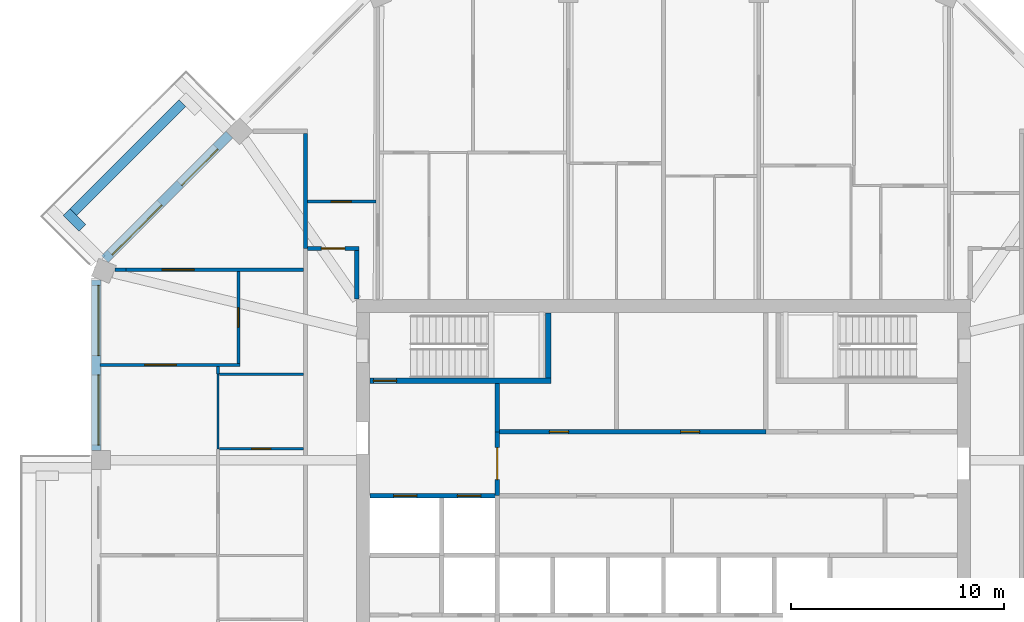
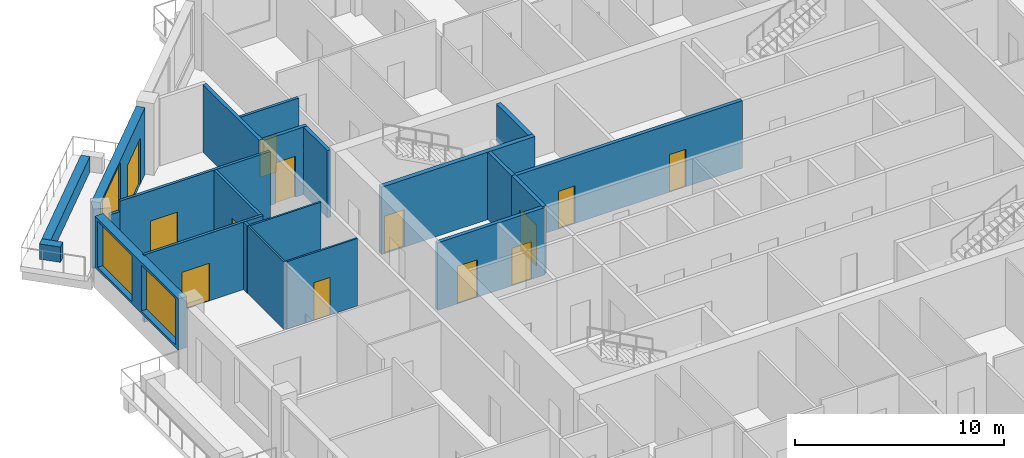
# One storey, part 7 of 13: 22 walls, 13 doors, 3 windows, 16 openings.
"""IFC4 building model written with IfcOpenShell, lengths in metres."""

from ifc_helpers import new_model, si_unit, direction, frame, frame_2d, origin, place, context, subcontext, project, spatial, rectangle, extrude, material, layer, layer_set, type_object, element, fill, save


model = new_model("IFC4")

# Units and contexts
model_context = context("Model", 3, precision=1e-05, world=origin(), true_north=direction((0.0, 1.0)))
body_context = subcontext(model_context, "Body", "Model", "MODEL_VIEW")
ifc_project = project(units=[si_unit("LENGTHUNIT", "METRE"), si_unit("AREAUNIT", "SQUARE_METRE"), si_unit("VOLUMEUNIT", "CUBIC_METRE"), si_unit("PLANEANGLEUNIT", "RADIAN"), si_unit("MASSUNIT", "GRAM", prefix="KILO")], contexts=[model_context])

# Site, building, storey
site_placement = place(None, origin())
site = spatial("IfcSite", under=ifc_project, at=site_placement, CompositionType="ELEMENT")
building_placement = place(site_placement, origin())
building = spatial("IfcBuilding", under=site, at=building_placement, Name="Msitu Wima Residences", CompositionType="ELEMENT")
storey_placement = place(building_placement, frame((0.0, 0.0, 285.300048828125)))
storey = spatial("IfcBuildingStorey", under=building, at=storey_placement, Name="L66", CompositionType="ELEMENT", Elevation=285.300048828125)

# Walls
ifc_material_1 = material(Name="Facing brick")
ifc_layer_1 = layer(ifc_material_1, 0.06494140625, Name="Facing brick")
ifc_material_2 = material(Name="Concrete C40/50", Category="concrete")
ifc_layer_2 = layer(ifc_material_2, 0.156005859375, Name="Concrete C40/50")
ifc_material_3 = material(Name="Waterproofing membrane")
ifc_layer_3 = layer(ifc_material_3, 0.00390625, Name="Waterproofing membrane")
ifc_material_4 = material(Name="Planting soil and planting")
ifc_layer_4 = layer(ifc_material_4, 0.22509765625, Name="Planting soil and planting")
ifc_layer_set_1 = layer_set([ifc_layer_1, ifc_layer_2, ifc_layer_3, ifc_layer_4], Name="Concrete C40/50")
wall_type_1 = type_object("IfcWallType", Name="Balcony planter PLANTER PL450", PredefinedType="USERDEFINED", material=ifc_layer_set_1)
wall_1_placement = place(storey_placement, frame((-22.572265625, 21.228759765625, 0.0), z_axis=(0.0, 0.0, 1.0), x_axis=(-0.707106781187, -0.707106781187, 0.0)))
element("IfcWall", 1, at=wall_1_placement, inside=storey, type_object=wall_type_1, Name="Balcony planter NW1 L66", ObjectType="PLANTER", PredefinedType="USERDEFINED", context=body_context, shape_type="SweptSolid", body=[
    extrude(rectangle(XDim=7.23828125, YDim=0.449951171875, at=frame_2d((3.619140625, 0.0))), origin(), (0.0, 0.0, 1.0), 0.89990234375),
])
wall_2_placement = place(storey_placement, frame((-27.26611328125, 15.3681640625, 0.0), z_axis=(0.0, 0.0, 1.0), x_axis=(-0.707223014731, 0.706990528533, 0.0)))
element("IfcWall", 2, at=wall_2_placement, inside=storey, type_object=wall_type_1, Name="Balcony planter NW1 L66", ObjectType="PLANTER", PredefinedType="USERDEFINED", context=body_context, shape_type="SweptSolid", body=[
    extrude(rectangle(XDim=1.050048828125, YDim=0.449951171875, at=frame_2d((0.52490234375, 0.0))), origin(), (0.0, 0.0, 1.0), 0.89990234375),
])

# Wall, openings, door, window
ifc_material_5 = material(Name="Brick (red buff mix)", Category="masonry")
ifc_layer_5 = layer(ifc_material_5, 0.449951171875)
ifc_layer_set_2 = layer_set([ifc_layer_5], Name="Brick (red buff mix)")
wall_type_2 = type_object("IfcWallType", Name="Brick infill wall BW450", PredefinedType="SOLIDWALL", material=ifc_layer_set_2)
wall_3_placement = place(storey_placement, frame((-20.380126953125, 19.743896484375, 0.0), z_axis=(0.0, 0.0, 1.0), x_axis=(-0.707106781187, -0.707106781187, 0.0)))
wall_3 = element("IfcWall", 3, at=wall_3_placement, inside=storey, type_object=wall_type_2, Name="Brick infill wall L66 NW1", PredefinedType="SOLIDWALL", context=body_context, shape_type="SweptSolid", body=[
    extrude(rectangle(XDim=8.251220703125, YDim=0.449951171875, at=frame_2d((4.12548828125, 0.0))), origin(), (0.0, 0.0, 1.0), 3.89990234375),
])
opening_1_placement = place(wall_3_placement, frame((0.86279296875, 0.0, 0.0)))
opening_1 = element("IfcOpeningElement", 4, at=opening_1_placement, cuts=wall_3, Name="Opening D65-67.005", PredefinedType="OPENING", context=body_context, shape_type="SweptSolid", body=[
    extrude(rectangle(XDim=2.39990234375, YDim=2.699951171875, at=frame_2d((1.199951171875, 1.35009765625))), frame((0.0, 0.23486328125, 0.0), z_axis=(0.0, -1.0, 0.0), x_axis=(1.0, 0.0, 0.0)), (0.0, 0.0, 1.0), 0.469970703125),
])
opening_2_placement = place(wall_3_placement, frame((4.57568359375, 0.0, 1.050048828125)))
opening_2 = element("IfcOpeningElement", 5, at=opening_2_placement, cuts=wall_3, Name="Opening W65-67.015", PredefinedType="OPENING", context=body_context, shape_type="SweptSolid", body=[
    extrude(rectangle(XDim=3.300048828125, YDim=2.699951171875, at=frame_2d((1.64990234375, 1.35009765625))), frame((0.0, 0.23486328125, 0.0), z_axis=(0.0, -1.0, 0.0), x_axis=(1.0, 0.0, 0.0)), (0.0, 0.0, 1.0), 0.469970703125),
])
ifc_material_6 = material(Name="Anodised aluminium, bronze finish, clear low-emissivity double glazing", Category="aluminium")
door_type_1 = type_object("IfcDoorType", Name="Balcony door D2400x2700", OperationType="SLIDING_TO_LEFT", PredefinedType="DOOR", material=ifc_material_6)
door_1_placement = place(opening_1_placement, origin())
door_1 = element("IfcDoor", 6, at=door_1_placement, inside=storey, type_object=door_type_1, Name="Balcony door L66 NW1", OperationType="SINGLE_SWING_LEFT", OverallHeight=2.699951171875, OverallWidth=2.39990234375, PredefinedType="DOOR", context=body_context, shape_type="SweptSolid", body=[
    extrude(rectangle(XDim=2.39990234375, YDim=2.699951171875, at=frame_2d((1.199951171875, 1.35009765625))), frame((0.0, 0.1298828125, 0.0), z_axis=(0.0, -1.0, 0.0), x_axis=(1.0, 0.0, 0.0)), (0.0, 0.0, 1.0), 0.050048828125),
])
fill(opening_1, door_1)
window_type = type_object("IfcWindowType", Name="Window W3300x2700", PartitioningType="DOUBLE_PANEL_VERTICAL", PredefinedType="WINDOW", material=ifc_material_6)
window_1_placement = place(opening_2_placement, origin())
window_1 = element("IfcWindow", 7, at=window_1_placement, inside=storey, type_object=window_type, Name="Window L66 NW1.2", OverallHeight=2.699951171875, OverallWidth=3.300048828125, PartitioningType="SINGLE_PANEL", PredefinedType="WINDOW", context=body_context, shape_type="SweptSolid", body=[
    extrude(rectangle(XDim=3.300048828125, YDim=2.699951171875, at=frame_2d((1.64990234375, 1.35009765625))), frame((0.0, 0.135009765625, 0.0), z_axis=(0.0, -1.0, 0.0), x_axis=(1.0, 0.0, 0.0)), (0.0, 0.0, 1.0), 0.06005859375),
])
fill(opening_2, window_1)

# Wall, openings, windows
wall_4_placement = place(storey_placement, frame((-26.625, 12.918701171875, 0.89990234375), z_axis=(0.0, 0.0, 1.0), x_axis=(0.0, -1.0, 0.0)))
wall_4 = element("IfcWall", 8, at=wall_4_placement, inside=storey, type_object=wall_type_2, Name="Brick infill wall L66 W0", PredefinedType="SOLIDWALL", context=body_context, shape_type="SweptSolid", body=[
    extrude(rectangle(XDim=8.0, YDim=0.449951171875, at=frame_2d((4.0, 0.0))), origin(), (0.0, 0.0, 1.0), 3.0),
])
opening_3_placement = place(wall_4_placement, frame((0.25, 0.0, 0.14990234375)))
opening_3 = element("IfcOpeningElement", 9, at=opening_3_placement, cuts=wall_4, Name="Opening W65-67.026", PredefinedType="OPENING", context=body_context, shape_type="SweptSolid", body=[
    extrude(rectangle(XDim=3.300048828125, YDim=2.699951171875, at=frame_2d((1.64990234375, 1.35009765625))), frame((0.0, 0.23486328125, 0.0), z_axis=(0.0, -1.0, 0.0), x_axis=(1.0, 0.0, 0.0)), (0.0, 0.0, 1.0), 0.469970703125),
])
opening_4_placement = place(wall_4_placement, frame((4.4501953125, 0.0, 0.14990234375)))
opening_4 = element("IfcOpeningElement", 10, at=opening_4_placement, cuts=wall_4, Name="Opening W65-67.027", PredefinedType="OPENING", context=body_context, shape_type="SweptSolid", body=[
    extrude(rectangle(XDim=3.300048828125, YDim=2.699951171875, at=frame_2d((1.64990234375, 1.35009765625))), frame((0.0, 0.23486328125, 0.0), z_axis=(0.0, -1.0, 0.0), x_axis=(1.0, 0.0, 0.0)), (0.0, 0.0, 1.0), 0.469970703125),
])
window_2_placement = place(opening_3_placement, origin())
window_2 = element("IfcWindow", 11, at=window_2_placement, inside=storey, type_object=window_type, Name="Window L66 W0.1", OverallHeight=2.699951171875, OverallWidth=3.300048828125, PartitioningType="SINGLE_PANEL", PredefinedType="WINDOW", context=body_context, shape_type="SweptSolid", body=[
    extrude(rectangle(XDim=3.300048828125, YDim=2.699951171875, at=frame_2d((1.64990234375, 1.35009765625))), frame((0.0, 0.135009765625, 0.0), z_axis=(0.0, -1.0, 0.0), x_axis=(1.0, 0.0, 0.0)), (0.0, 0.0, 1.0), 0.06005859375),
])
fill(opening_3, window_2)
window_3_placement = place(opening_4_placement, origin())
window_3 = element("IfcWindow", 12, at=window_3_placement, inside=storey, type_object=window_type, Name="Window L66 W0.2", OverallHeight=2.699951171875, OverallWidth=3.300048828125, PartitioningType="SINGLE_PANEL", PredefinedType="WINDOW", context=body_context, shape_type="SweptSolid", body=[
    extrude(rectangle(XDim=3.300048828125, YDim=2.699951171875, at=frame_2d((1.64990234375, 1.35009765625))), frame((0.0, 0.135009765625, 0.0), z_axis=(0.0, -1.0, 0.0), x_axis=(1.0, 0.0, 0.0)), (0.0, 0.0, 1.0), 0.06005859375),
])
fill(opening_4, window_3)

# Wall, opening, door
ifc_material_7 = material(Name="Plaster")
ifc_layer_6 = layer(ifc_material_7, 0.011962890625, Name="Plaster")
ifc_material_8 = material(Name="Concrete blockwork", Category="masonry")
ifc_layer_7 = layer(ifc_material_8, 0.176025390625, Name="Concrete blockwork")
ifc_layer_8 = layer(ifc_material_7, 0.011962890625, Name="Plaster")
ifc_layer_set_3 = layer_set([ifc_layer_6, ifc_layer_7, ifc_layer_8], Name="Concrete blockwork")
wall_type_3 = type_object("IfcWallType", Name="Corridor wall FW200", PredefinedType="PARTITIONING", material=ifc_layer_set_3)
wall_5_placement = place(storey_placement, frame((-16.699951171875, 14.39990234375, 0.0), z_axis=(0.0, 0.0, 1.0), x_axis=(1.0, 0.0, 0.0)))
wall_5 = element("IfcWall", 13, at=wall_5_placement, inside=storey, type_object=wall_type_3, Name="Corridor wall", PredefinedType="PARTITIONING", context=body_context, shape_type="SweptSolid", body=[
    extrude(rectangle(XDim=2.39990234375, YDim=0.199951171875, at=frame_2d((1.199951171875, 0.0))), origin(), (0.0, 0.0, 1.0), 3.949951171875),
])
opening_5_placement = place(wall_5_placement, frame((0.64990234375, 0.0, 0.0)))
opening_5 = element("IfcOpeningElement", 14, at=opening_5_placement, cuts=wall_5, Name="Opening D65-67.032", PredefinedType="OPENING", context=body_context, shape_type="SweptSolid", body=[
    extrude(rectangle(XDim=1.10009765625, YDim=2.39990234375, at=frame_2d((0.550048828125, 1.199951171875))), frame((0.0, 0.10986328125, 0.0), z_axis=(0.0, -1.0, 0.0), x_axis=(1.0, 0.0, 0.0)), (0.0, 0.0, 1.0), 0.219970703125),
])
ifc_material_9 = material(Name="Timber flush door, fire resisting, self-closing", Category="wood")
door_type_2 = type_object("IfcDoorType", Name="Flat entrance door D01 1100x2400", OperationType="SINGLE_SWING_LEFT", PredefinedType="DOOR", material=ifc_material_9)
door_2_placement = place(opening_5_placement, origin())
door_2 = element("IfcDoor", 15, at=door_2_placement, inside=storey, type_object=door_type_2, Name="Flat entrance door", OperationType="SINGLE_SWING_LEFT", OverallHeight=2.39990234375, OverallWidth=1.10009765625, PredefinedType="DOOR", context=body_context, shape_type="SweptSolid", body=[
    extrude(rectangle(XDim=1.10009765625, YDim=2.39990234375, at=frame_2d((0.550048828125, 1.199951171875))), frame((0.0, 0.02490234375, 0.0), z_axis=(0.0, -1.0, 0.0), x_axis=(1.0, 0.0, 0.0)), (0.0, 0.0, 1.0), 0.050048828125),
])
fill(opening_5, door_2)

# Wall
wall_6_placement = place(storey_placement, frame((-14.39990234375, 12.030029296875, 0.0), z_axis=(0.0, 0.0, 1.0), x_axis=(0.0, 1.0, 0.0)))
element("IfcWall", 16, at=wall_6_placement, inside=storey, type_object=wall_type_3, Name="Corridor wall", PredefinedType="PARTITIONING", context=body_context, shape_type="SweptSolid", body=[
    extrude(rectangle(XDim=2.27001953125, YDim=0.199951171875, at=frame_2d((1.135009765625, 0.0))), origin(), (0.0, 0.0, 1.0), 3.949951171875),
])

# Wall, opening, door
wall_7_placement = place(storey_placement, frame((-7.800048828125, 2.800048828125, 0.0), z_axis=(0.0, 0.0, 1.0), x_axis=(0.0, 1.0, 0.0)))
wall_7 = element("IfcWall", 17, at=wall_7_placement, inside=storey, type_object=wall_type_3, Name="Corridor wall", PredefinedType="PARTITIONING", context=body_context, shape_type="SweptSolid", body=[
    extrude(rectangle(XDim=3.0, YDim=0.199951171875, at=frame_2d((1.5, 0.0))), origin(), (0.0, 0.0, 1.0), 3.949951171875),
])
opening_6_placement = place(wall_7_placement, frame((0.75, 0.0, 0.0)))
opening_6 = element("IfcOpeningElement", 18, at=opening_6_placement, cuts=wall_7, Name="Opening D65-67.076", PredefinedType="OPENING", context=body_context, shape_type="SweptSolid", body=[
    extrude(rectangle(XDim=1.5, YDim=2.39990234375, at=frame_2d((0.75, 1.199951171875))), frame((0.0, 0.10986328125, 0.0), z_axis=(0.0, -1.0, 0.0), x_axis=(1.0, 0.0, 0.0)), (0.0, 0.0, 1.0), 0.219970703125),
])
ifc_material_10 = material(Name="Steel framed glazed door, fire resisting", Category="steel")
door_type_3 = type_object("IfcDoorType", Name="Lobby door D07 1500x2400", OperationType="DOUBLE_DOOR_SINGLE_SWING", PredefinedType="DOOR", material=ifc_material_10)
door_3_placement = place(opening_6_placement, origin())
door_3 = element("IfcDoor", 19, at=door_3_placement, inside=storey, type_object=door_type_3, Name="Lobby door", OperationType="DOUBLE_DOOR_SINGLE_SWING", OverallHeight=2.39990234375, OverallWidth=1.5, PredefinedType="DOOR", context=body_context, shape_type="SweptSolid", body=[
    extrude(rectangle(XDim=1.5, YDim=2.39990234375, at=frame_2d((0.75, 1.199951171875))), frame((0.0, 0.02490234375, 0.0), z_axis=(0.0, -1.0, 0.0), x_axis=(1.0, 0.0, 0.0)), (0.0, 0.0, 1.0), 0.050048828125),
])
fill(opening_6, door_3)

ifc_layer_9 = layer(ifc_material_7, 0.011962890625, Name="Plaster")
ifc_layer_10 = layer(ifc_material_8, 0.1259765625, Name="Concrete blockwork")
ifc_layer_11 = layer(ifc_material_7, 0.011962890625, Name="Plaster")
ifc_layer_set_4 = layer_set([ifc_layer_9, ifc_layer_10, ifc_layer_11], Name="Concrete blockwork")
wall_type_4 = type_object("IfcWallType", Name="Partition PW150", PredefinedType="PARTITIONING", material=ifc_layer_set_4)
wall_8_placement = place(storey_placement, frame((-26.455078125, 8.937255859375, 0.0), z_axis=(0.0, 0.0, 1.0), x_axis=(1.0, 0.0, 0.0)))
wall_8 = element("IfcWall", 20, at=wall_8_placement, inside=storey, type_object=wall_type_4, Name="Partition", PredefinedType="PARTITIONING", context=body_context, shape_type="SweptSolid", body=[
    extrude(rectangle(XDim=6.580078125, YDim=0.14990234375, at=frame_2d((3.2900390625, 0.0))), origin(), (0.0, 0.0, 1.0), 3.949951171875),
])
opening_7_placement = place(wall_8_placement, frame((2.10009765625, 0.0, 0.0)))
opening_7 = element("IfcOpeningElement", 21, at=opening_7_placement, cuts=wall_8, Name="Opening D65-67.051", PredefinedType="OPENING", context=body_context, shape_type="SweptSolid", body=[
    extrude(rectangle(XDim=1.5, YDim=2.199951171875, at=frame_2d((0.75, 1.10009765625))), frame((0.0, 0.0849609375, 0.0), z_axis=(0.0, -1.0, 0.0), x_axis=(1.0, 0.0, 0.0)), (0.0, 0.0, 1.0), 0.169921875),
])
ifc_material_11 = material(Name="Timber double door", Category="wood")
door_type_4 = type_object("IfcDoorType", Name="Double door D04 1500x2200", OperationType="DOUBLE_DOOR_SINGLE_SWING", PredefinedType="DOOR", material=ifc_material_11)
door_4_placement = place(opening_7_placement, origin())
door_4 = element("IfcDoor", 22, at=door_4_placement, inside=storey, type_object=door_type_4, Name="Double door", OperationType="DOUBLE_DOOR_SINGLE_SWING", OverallHeight=2.199951171875, OverallWidth=1.5, PredefinedType="DOOR", context=body_context, shape_type="SweptSolid", body=[
    extrude(rectangle(XDim=1.5, YDim=2.199951171875, at=frame_2d((0.75, 1.10009765625))), frame((0.0, 0.02490234375, 0.0), z_axis=(0.0, -1.0, 0.0), x_axis=(1.0, 0.0, 0.0)), (0.0, 0.0, 1.0), 0.050048828125),
])
fill(opening_7, door_4)

# Wall
wall_9_placement = place(storey_placement, frame((-25.731201171875, 13.406005859375, 0.0), z_axis=(0.0, 0.0, 1.0), x_axis=(1.0, 0.0, 0.0)))
element("IfcWall", 23, at=wall_9_placement, inside=storey, type_object=wall_type_4, Name="Partition", PredefinedType="PARTITIONING", context=body_context, shape_type="SweptSolid", body=[
    extrude(rectangle(XDim=0.507080078125, YDim=0.14990234375, at=frame_2d((0.25341796875, 0.0))), origin(), (0.0, 0.0, 1.0), 3.349853515625),
])

# Wall, opening, door
wall_10_placement = place(storey_placement, frame((-25.22412109375, 13.406005859375, 0.0), z_axis=(0.0, 0.0, 1.0), x_axis=(1.0, 0.0, 0.0)))
wall_10 = element("IfcWall", 24, at=wall_10_placement, inside=storey, type_object=wall_type_4, Name="Partition", PredefinedType="PARTITIONING", context=body_context, shape_type="SweptSolid", body=[
    extrude(rectangle(XDim=8.32421875, YDim=0.14990234375, at=frame_2d((4.162109375, 0.0))), origin(), (0.0, 0.0, 1.0), 3.949951171875),
])
opening_8_placement = place(wall_10_placement, frame((1.69287109375, 0.0, 0.0)))
opening_8 = element("IfcOpeningElement", 25, at=opening_8_placement, cuts=wall_10, Name="Opening D65-67.052", PredefinedType="OPENING", context=body_context, shape_type="SweptSolid", body=[
    extrude(rectangle(XDim=1.5, YDim=2.199951171875, at=frame_2d((0.75, 1.10009765625))), frame((0.0, 0.0849609375, 0.0), z_axis=(0.0, -1.0, 0.0), x_axis=(1.0, 0.0, 0.0)), (0.0, 0.0, 1.0), 0.169921875),
])
door_5_placement = place(opening_8_placement, origin())
door_5 = element("IfcDoor", 26, at=door_5_placement, inside=storey, type_object=door_type_4, Name="Double door", OperationType="DOUBLE_DOOR_SINGLE_SWING", OverallHeight=2.199951171875, OverallWidth=1.5, PredefinedType="DOOR", context=body_context, shape_type="SweptSolid", body=[
    extrude(rectangle(XDim=1.5, YDim=2.199951171875, at=frame_2d((0.75, 1.10009765625))), frame((0.0, 0.02490234375, 0.0), z_axis=(0.0, -1.0, 0.0), x_axis=(1.0, 0.0, 0.0)), (0.0, 0.0, 1.0), 0.050048828125),
])
fill(opening_8, door_5)

# Wall
wall_11_placement = place(storey_placement, frame((-20.89990234375, 8.5, 0.0), z_axis=(0.0, 0.0, 1.0), x_axis=(0.0, 1.0, 0.0)))
element("IfcWall", 27, at=wall_11_placement, inside=storey, type_object=wall_type_4, Name="Partition", PredefinedType="PARTITIONING", context=body_context, shape_type="SweptSolid", body=[
    extrude(rectangle(XDim=0.3623046875, YDim=0.14990234375, at=frame_2d((0.18115234375, 0.0))), origin(), (0.0, 0.0, 1.0), 3.949951171875),
])

# Wall, opening, door
wall_12_placement = place(storey_placement, frame((-19.949951171875, 9.01220703125, 0.0), z_axis=(0.0, 0.0, 1.0), x_axis=(0.0, 1.0, 0.0)))
wall_12 = element("IfcWall", 28, at=wall_12_placement, inside=storey, type_object=wall_type_4, Name="Partition", PredefinedType="PARTITIONING", context=body_context, shape_type="SweptSolid", body=[
    extrude(rectangle(XDim=4.318603515625, YDim=0.14990234375, at=frame_2d((2.1591796875, 0.0))), origin(), (0.0, 0.0, 1.0), 3.949951171875),
])
opening_9_placement = place(wall_12_placement, frame((1.699951171875, 0.0, 0.0)))
opening_9 = element("IfcOpeningElement", 29, at=opening_9_placement, cuts=wall_12, Name="Opening D65-67.045", PredefinedType="OPENING", context=body_context, shape_type="SweptSolid", body=[
    extrude(rectangle(XDim=0.89990234375, YDim=2.199951171875, at=frame_2d((0.449951171875, 1.10009765625))), frame((0.0, 0.0849609375, 0.0), z_axis=(0.0, -1.0, 0.0), x_axis=(1.0, 0.0, 0.0)), (0.0, 0.0, 1.0), 0.169921875),
])
ifc_material_12 = material(Name="Timber flush door", Category="wood")
door_type_5 = type_object("IfcDoorType", Name="Service door D05 900x2200", OperationType="SINGLE_SWING_LEFT", PredefinedType="DOOR", material=ifc_material_12)
door_6_placement = place(opening_9_placement, origin())
door_6 = element("IfcDoor", 30, at=door_6_placement, inside=storey, type_object=door_type_5, Name="Service door", OperationType="SINGLE_SWING_LEFT", OverallHeight=2.199951171875, OverallWidth=0.89990234375, PredefinedType="DOOR", context=body_context, shape_type="SweptSolid", body=[
    extrude(rectangle(XDim=0.89990234375, YDim=2.199951171875, at=frame_2d((0.449951171875, 1.10009765625))), frame((0.0, 0.02490234375, 0.0), z_axis=(0.0, -1.0, 0.0), x_axis=(1.0, 0.0, 0.0)), (0.0, 0.0, 1.0), 0.050048828125),
])
fill(opening_9, door_6)

wall_13_placement = place(storey_placement, frame((-16.699951171875, 16.60009765625, 0.0), z_axis=(0.0, 0.0, 1.0), x_axis=(1.0, 0.0, 0.0)))
wall_13 = element("IfcWall", 31, at=wall_13_placement, inside=storey, type_object=wall_type_4, Name="Partition", PredefinedType="PARTITIONING", context=body_context, shape_type="SweptSolid", body=[
    extrude(rectangle(XDim=3.218994140625, YDim=0.14990234375, at=frame_2d((1.609375, 0.0))), origin(), (0.0, 0.0, 1.0), 3.949951171875),
])
opening_10_placement = place(wall_13_placement, frame((1.10009765625, 0.0, 0.0)))
opening_10 = element("IfcOpeningElement", 32, at=opening_10_placement, cuts=wall_13, Name="Opening D65-67.035", PredefinedType="OPENING", context=body_context, shape_type="SweptSolid", body=[
    extrude(rectangle(XDim=0.949951171875, YDim=2.199951171875, at=frame_2d((0.47509765625, 1.10009765625))), frame((0.0, 0.0849609375, 0.0), z_axis=(0.0, -1.0, 0.0), x_axis=(1.0, 0.0, 0.0)), (0.0, 0.0, 1.0), 0.169921875),
])
door_type_6 = type_object("IfcDoorType", Name="Room door D12 950x2200", OperationType="SINGLE_SWING_LEFT", PredefinedType="DOOR", material=ifc_material_12)
door_7_placement = place(opening_10_placement, origin())
door_7 = element("IfcDoor", 33, at=door_7_placement, inside=storey, type_object=door_type_6, Name="Room door", OperationType="SINGLE_SWING_LEFT", OverallHeight=2.199951171875, OverallWidth=0.949951171875, PredefinedType="DOOR", context=body_context, shape_type="SweptSolid", body=[
    extrude(rectangle(XDim=0.949951171875, YDim=2.199951171875, at=frame_2d((0.47509765625, 1.10009765625))), frame((0.0, 0.02490234375, 0.0), z_axis=(0.0, -1.0, 0.0), x_axis=(1.0, 0.0, 0.0)), (0.0, 0.0, 1.0), 0.050048828125),
])
fill(opening_10, door_7)

# Walls
ifc_layer_12 = layer(ifc_material_7, 0.011962890625, Name="Plaster")
ifc_material_13 = material(Name="Dense concrete blockwork", Category="masonry")
ifc_layer_13 = layer(ifc_material_13, 0.176025390625, Name="Dense concrete blockwork")
ifc_layer_14 = layer(ifc_material_7, 0.011962890625, Name="Plaster")
ifc_layer_set_5 = layer_set([ifc_layer_12, ifc_layer_13, ifc_layer_14], Name="Dense concrete blockwork")
wall_type_5 = type_object("IfcWallType", Name="Party wall PW200", PredefinedType="PARTITIONING", material=ifc_layer_set_5)
wall_14_placement = place(storey_placement, frame((-16.800048828125, 14.39990234375, 0.0), z_axis=(0.0, 0.0, 1.0), x_axis=(0.0, 1.0, 0.0)))
element("IfcWall", 34, at=wall_14_placement, inside=storey, type_object=wall_type_5, Name="Party wall", PredefinedType="PARTITIONING", context=body_context, shape_type="SweptSolid", body=[
    extrude(rectangle(XDim=5.403076171875, YDim=0.199951171875, at=frame_2d((2.70166015625, 0.0))), origin(), (0.0, 0.0, 1.0), 3.949951171875),
])
ifc_layer_15 = layer(ifc_material_7, 0.011962890625, Name="Plaster")
ifc_material_14 = material(Name="Reinforced concrete blockwork", Category="masonry")
ifc_layer_16 = layer(ifc_material_14, 0.176025390625, Name="Reinforced concrete blockwork")
ifc_layer_17 = layer(ifc_material_7, 0.011962890625, Name="Plaster")
ifc_layer_set_6 = layer_set([ifc_layer_15, ifc_layer_16, ifc_layer_17], Name="Reinforced concrete blockwork")
wall_type_6 = type_object("IfcWallType", Name="Plant and riser wall PL200", PredefinedType="PARTITIONING", material=ifc_layer_set_6)
wall_15_placement = place(storey_placement, frame((-7.800048828125, 5.800048828125, 0.0), z_axis=(0.0, 0.0, 1.0), x_axis=(0.0, 1.0, 0.0)))
element("IfcWall", 35, at=wall_15_placement, inside=storey, type_object=wall_type_6, Name="Plant and riser wall", PredefinedType="PARTITIONING", context=body_context, shape_type="SweptSolid", body=[
    extrude(rectangle(XDim=2.27490234375, YDim=0.199951171875, at=frame_2d((1.137451171875, 0.0))), origin(), (0.0, 0.0, 1.0), 3.949951171875),
])

# Wall, openings, doors
wall_16_placement = place(storey_placement, frame((-7.699951171875, 5.800048828125, 0.0), z_axis=(0.0, 0.0, 1.0), x_axis=(1.0, 0.0, 0.0)))
wall_16 = element("IfcWall", 36, at=wall_16_placement, inside=storey, type_object=wall_type_6, Name="Plant and riser wall", PredefinedType="PARTITIONING", context=body_context, shape_type="SweptSolid", body=[
    extrude(rectangle(XDim=12.52001953125, YDim=0.199951171875, at=frame_2d((6.260009765625, 0.0))), origin(), (0.0, 0.0, 1.0), 3.949951171875),
])
opening_11_placement = place(wall_16_placement, frame((2.35009765625, 0.0, 0.0)))
opening_11 = element("IfcOpeningElement", 37, at=opening_11_placement, cuts=wall_16, Name="Opening D65-67.079", PredefinedType="OPENING", context=body_context, shape_type="SweptSolid", body=[
    extrude(rectangle(XDim=0.89990234375, YDim=2.199951171875, at=frame_2d((0.449951171875, 1.10009765625))), frame((0.0, 0.10986328125, 0.0), z_axis=(0.0, -1.0, 0.0), x_axis=(1.0, 0.0, 0.0)), (0.0, 0.0, 1.0), 0.219970703125),
])
opening_12_placement = place(wall_16_placement, frame((8.5, 0.0, 0.0)))
opening_12 = element("IfcOpeningElement", 38, at=opening_12_placement, cuts=wall_16, Name="Opening D65-67.080", PredefinedType="OPENING", context=body_context, shape_type="SweptSolid", body=[
    extrude(rectangle(XDim=0.89990234375, YDim=2.199951171875, at=frame_2d((0.449951171875, 1.10009765625))), frame((0.0, 0.10986328125, 0.0), z_axis=(0.0, -1.0, 0.0), x_axis=(1.0, 0.0, 0.0)), (0.0, 0.0, 1.0), 0.219970703125),
])
door_8_placement = place(opening_11_placement, origin())
door_8 = element("IfcDoor", 39, at=door_8_placement, inside=storey, type_object=door_type_5, Name="Service door", OperationType="SINGLE_SWING_RIGHT", OverallHeight=2.199951171875, OverallWidth=0.89990234375, PredefinedType="DOOR", context=body_context, shape_type="SweptSolid", body=[
    extrude(rectangle(XDim=0.89990234375, YDim=2.199951171875, at=frame_2d((0.449951171875, 1.10009765625))), frame((0.0, 0.02490234375, 0.0), z_axis=(0.0, -1.0, 0.0), x_axis=(1.0, 0.0, 0.0)), (0.0, 0.0, 1.0), 0.050048828125),
])
fill(opening_11, door_8)
door_9_placement = place(opening_12_placement, origin())
door_9 = element("IfcDoor", 40, at=door_9_placement, inside=storey, type_object=door_type_5, Name="Service door", OperationType="SINGLE_SWING_LEFT", OverallHeight=2.199951171875, OverallWidth=0.89990234375, PredefinedType="DOOR", context=body_context, shape_type="SweptSolid", body=[
    extrude(rectangle(XDim=0.89990234375, YDim=2.199951171875, at=frame_2d((0.449951171875, 1.10009765625))), frame((0.0, 0.02490234375, 0.0), z_axis=(0.0, -1.0, 0.0), x_axis=(1.0, 0.0, 0.0)), (0.0, 0.0, 1.0), 0.050048828125),
])
fill(opening_12, door_9)

ifc_material_15 = material(Name="Fire-rated board")
ifc_layer_18 = layer(ifc_material_15, 0.02490234375, Name="Fire-rated board")
ifc_material_16 = material(Name="Light-gauge stud framing with mineral wool")
ifc_layer_19 = layer(ifc_material_16, 0.14990234375, Name="Light-gauge stud framing with mineral wool")
ifc_layer_20 = layer(ifc_material_15, 0.02490234375, Name="Fire-rated board")
ifc_layer_set_7 = layer_set([ifc_layer_18, ifc_layer_19, ifc_layer_20], Name="Light-gauge stud framing with mineral wool")
wall_type_7 = type_object("IfcWallType", Name="Shaft wall SH200", PredefinedType="PARTITIONING", material=ifc_layer_set_7)
wall_17_placement = place(storey_placement, frame((-13.77001953125, 2.800048828125, 0.0), z_axis=(0.0, 0.0, 1.0), x_axis=(1.0, 0.0, 0.0)))
wall_17 = element("IfcWall", 41, at=wall_17_placement, inside=storey, type_object=wall_type_7, Name="Shaft wall", PredefinedType="PARTITIONING", context=body_context, shape_type="SweptSolid", body=[
    extrude(rectangle(XDim=5.949951171875, YDim=0.199951171875, at=frame_2d((2.97509765625, 0.0))), origin(), (0.0, 0.0, 1.0), 3.949951171875),
])
opening_13_placement = place(wall_17_placement, frame((1.10009765625, 0.0, 0.0)))
opening_13 = element("IfcOpeningElement", 42, at=opening_13_placement, cuts=wall_17, Name="Opening LD", PredefinedType="OPENING", context=body_context, shape_type="SweptSolid", body=[
    extrude(rectangle(XDim=1.10009765625, YDim=2.199951171875, at=frame_2d((0.550048828125, 1.10009765625))), frame((0.0, 0.10986328125, 0.0), z_axis=(0.0, -1.0, 0.0), x_axis=(1.0, 0.0, 0.0)), (0.0, 0.0, 1.0), 0.219970703125),
])
opening_14_placement = place(wall_17_placement, frame((4.10009765625, 0.0, 0.0)))
opening_14 = element("IfcOpeningElement", 43, at=opening_14_placement, cuts=wall_17, Name="Opening LD", PredefinedType="OPENING", context=body_context, shape_type="SweptSolid", body=[
    extrude(rectangle(XDim=1.10009765625, YDim=2.199951171875, at=frame_2d((0.550048828125, 1.10009765625))), frame((0.0, 0.10986328125, 0.0), z_axis=(0.0, -1.0, 0.0), x_axis=(1.0, 0.0, 0.0)), (0.0, 0.0, 1.0), 0.219970703125),
])
ifc_material_17 = material(Name="Stainless steel centre-opening landing door, rated", Category="steel")
door_type_7 = type_object("IfcDoorType", Name="Lift landing door LD 1100x2200", OperationType="DOUBLE_DOOR_SLIDING", PredefinedType="DOOR", material=ifc_material_17)
door_10_placement = place(opening_13_placement, origin())
door_10 = element("IfcDoor", 44, at=door_10_placement, inside=storey, type_object=door_type_7, Name="Lift landing door LD1", OperationType="DOUBLE_DOOR_SLIDING", OverallHeight=2.199951171875, OverallWidth=1.10009765625, PredefinedType="DOOR", context=body_context, shape_type="SweptSolid", body=[
    extrude(rectangle(XDim=1.10009765625, YDim=2.199951171875, at=frame_2d((0.550048828125, 1.10009765625))), frame((0.0, 0.02490234375, 0.0), z_axis=(0.0, -1.0, 0.0), x_axis=(1.0, 0.0, 0.0)), (0.0, 0.0, 1.0), 0.050048828125),
])
fill(opening_13, door_10)
door_11_placement = place(opening_14_placement, origin())
door_11 = element("IfcDoor", 45, at=door_11_placement, inside=storey, type_object=door_type_7, Name="Lift landing door LD2", OperationType="DOUBLE_DOOR_SLIDING", OverallHeight=2.199951171875, OverallWidth=1.10009765625, PredefinedType="DOOR", context=body_context, shape_type="SweptSolid", body=[
    extrude(rectangle(XDim=1.10009765625, YDim=2.199951171875, at=frame_2d((0.550048828125, 1.10009765625))), frame((0.0, 0.02490234375, 0.0), z_axis=(0.0, -1.0, 0.0), x_axis=(1.0, 0.0, 0.0)), (0.0, 0.0, 1.0), 0.050048828125),
])
fill(opening_14, door_11)

# Wall, opening, door
ifc_material_18 = material(Name="Concrete C50/60", Category="concrete")
ifc_layer_21 = layer(ifc_material_18, 0.25)
ifc_layer_set_8 = layer_set([ifc_layer_21], Name="Concrete C50/60")
wall_type_8 = type_object("IfcWallType", Name="Stair enclosure wall SW250", PredefinedType="SHEAR", material=ifc_layer_set_8)
wall_18_placement = place(storey_placement, frame((-13.77001953125, 8.199951171875, 0.0), z_axis=(0.0, 0.0, 1.0), x_axis=(1.0, 0.0, 0.0)))
wall_18 = element("IfcWall", 46, at=wall_18_placement, inside=storey, type_object=wall_type_8, Name="Stair enclosure wall", PredefinedType="SHEAR", context=body_context, shape_type="SweptSolid", body=[
    extrude(rectangle(XDim=8.4951171875, YDim=0.25, at=frame_2d((4.24755859375, 0.0))), origin(), (0.0, 0.0, 1.0), 3.949951171875),
])
opening_15_placement = place(wall_18_placement, frame((0.14990234375, 0.0, 0.0)))
opening_15 = element("IfcOpeningElement", 47, at=opening_15_placement, cuts=wall_18, Name="Opening D65-67.093", PredefinedType="OPENING", context=body_context, shape_type="SweptSolid", body=[
    extrude(rectangle(XDim=1.10009765625, YDim=2.199951171875, at=frame_2d((0.550048828125, 1.10009765625))), frame((0.0, 0.135009765625, 0.0), z_axis=(0.0, -1.0, 0.0), x_axis=(1.0, 0.0, 0.0)), (0.0, 0.0, 1.0), 0.27001953125),
])
ifc_material_19 = material(Name="Steel door, fire resisting, panic bar", Category="steel")
door_type_8 = type_object("IfcDoorType", Name="Stair door D06 1100x2200", OperationType="SINGLE_SWING_LEFT", PredefinedType="DOOR", material=ifc_material_19)
door_12_placement = place(opening_15_placement, origin())
door_12 = element("IfcDoor", 48, at=door_12_placement, inside=storey, type_object=door_type_8, Name="Stair door", OperationType="SINGLE_SWING_LEFT", OverallHeight=2.199951171875, OverallWidth=1.10009765625, PredefinedType="DOOR", context=body_context, shape_type="SweptSolid", body=[
    extrude(rectangle(XDim=1.10009765625, YDim=2.199951171875, at=frame_2d((0.550048828125, 1.10009765625))), frame((0.0, 0.02490234375, 0.0), z_axis=(0.0, -1.0, 0.0), x_axis=(1.0, 0.0, 0.0)), (0.0, 0.0, 1.0), 0.050048828125),
])
fill(opening_15, door_12)

# Walls
wall_19_placement = place(storey_placement, frame((-5.39990234375, 8.324951171875, 0.0), z_axis=(0.0, 0.0, 1.0), x_axis=(0.0, 1.0, 0.0)))
element("IfcWall", 49, at=wall_19_placement, inside=storey, type_object=wall_type_8, Name="Stair enclosure wall", PredefinedType="SHEAR", context=body_context, shape_type="SweptSolid", body=[
    extrude(rectangle(XDim=3.045166015625, YDim=0.25, at=frame_2d((1.5224609375, 0.0))), origin(), (0.0, 0.0, 1.0), 3.949951171875),
])
ifc_material_20 = material(Name="Ceramic tiles")
ifc_layer_22 = layer(ifc_material_20, 0.008056640625, Name="Ceramic tiles")
ifc_material_21 = material(Name="Moisture-resistant board")
ifc_layer_23 = layer(ifc_material_21, 0.012451171875, Name="Moisture-resistant board")
ifc_layer_24 = layer(ifc_material_16, 0.06689453125, Name="Light-gauge stud framing with mineral wool")
ifc_layer_25 = layer(ifc_material_21, 0.012451171875, Name="Moisture-resistant board")
ifc_layer_set_9 = layer_set([ifc_layer_22, ifc_layer_23, ifc_layer_24, ifc_layer_25], Name="Light-gauge stud framing with mineral wool")
wall_type_9 = type_object("IfcWallType", Name="Wet wall PW100", PredefinedType="PARTITIONING", material=ifc_layer_set_9)
wall_20_placement = place(storey_placement, frame((-20.89990234375, 5.0, 0.0), z_axis=(0.0, 0.0, 1.0), x_axis=(0.0, 1.0, 0.0)))
element("IfcWall", 50, at=wall_20_placement, inside=storey, type_object=wall_type_9, Name="Wet wall", PredefinedType="PARTITIONING", context=body_context, shape_type="SweptSolid", body=[
    extrude(rectangle(XDim=3.5, YDim=0.10009765625, at=frame_2d((1.75, 0.0))), origin(), (0.0, 0.0, 1.0), 3.949951171875),
])

# Wall, opening, door
wall_21_placement = place(storey_placement, frame((-20.824951171875, 5.0, 0.0), z_axis=(0.0, 0.0, 1.0), x_axis=(1.0, 0.0, 0.0)))
wall_21 = element("IfcWall", 51, at=wall_21_placement, inside=storey, type_object=wall_type_9, Name="Wet wall", PredefinedType="PARTITIONING", context=body_context, shape_type="SweptSolid", body=[
    extrude(rectangle(XDim=3.925048828125, YDim=0.10009765625, at=frame_2d((1.96240234375, 0.0))), origin(), (0.0, 0.0, 1.0), 3.949951171875),
])
opening_16_placement = place(wall_21_placement, frame((1.5, 0.0, 0.0)))
opening_16 = element("IfcOpeningElement", 52, at=opening_16_placement, cuts=wall_21, Name="Opening D65-67.044", PredefinedType="OPENING", context=body_context, shape_type="SweptSolid", body=[
    extrude(rectangle(XDim=0.89990234375, YDim=2.199951171875, at=frame_2d((0.449951171875, 1.10009765625))), frame((0.0, 0.06005859375, 0.0), z_axis=(0.0, -1.0, 0.0), x_axis=(1.0, 0.0, 0.0)), (0.0, 0.0, 1.0), 0.1201171875),
])
door_13_placement = place(opening_16_placement, origin())
door_13 = element("IfcDoor", 53, at=door_13_placement, inside=storey, type_object=door_type_5, Name="Service door", OperationType="SINGLE_SWING_RIGHT", OverallHeight=2.199951171875, OverallWidth=0.89990234375, PredefinedType="DOOR", context=body_context, shape_type="SweptSolid", body=[
    extrude(rectangle(XDim=0.89990234375, YDim=2.199951171875, at=frame_2d((0.449951171875, 1.10009765625))), frame((0.0, 0.02490234375, 0.0), z_axis=(0.0, -1.0, 0.0), x_axis=(1.0, 0.0, 0.0)), (0.0, 0.0, 1.0), 0.050048828125),
])
fill(opening_16, door_13)

# Wall
wall_22_placement = place(storey_placement, frame((-20.824951171875, 8.5, 0.0), z_axis=(0.0, 0.0, 1.0), x_axis=(1.0, 0.0, 0.0)))
element("IfcWall", 54, at=wall_22_placement, inside=storey, type_object=wall_type_9, Name="Wet wall", PredefinedType="PARTITIONING", context=body_context, shape_type="SweptSolid", body=[
    extrude(rectangle(XDim=3.925048828125, YDim=0.10009765625, at=frame_2d((1.96240234375, 0.0))), origin(), (0.0, 0.0, 1.0), 3.949951171875),
])

save(model, "model.ifc")
